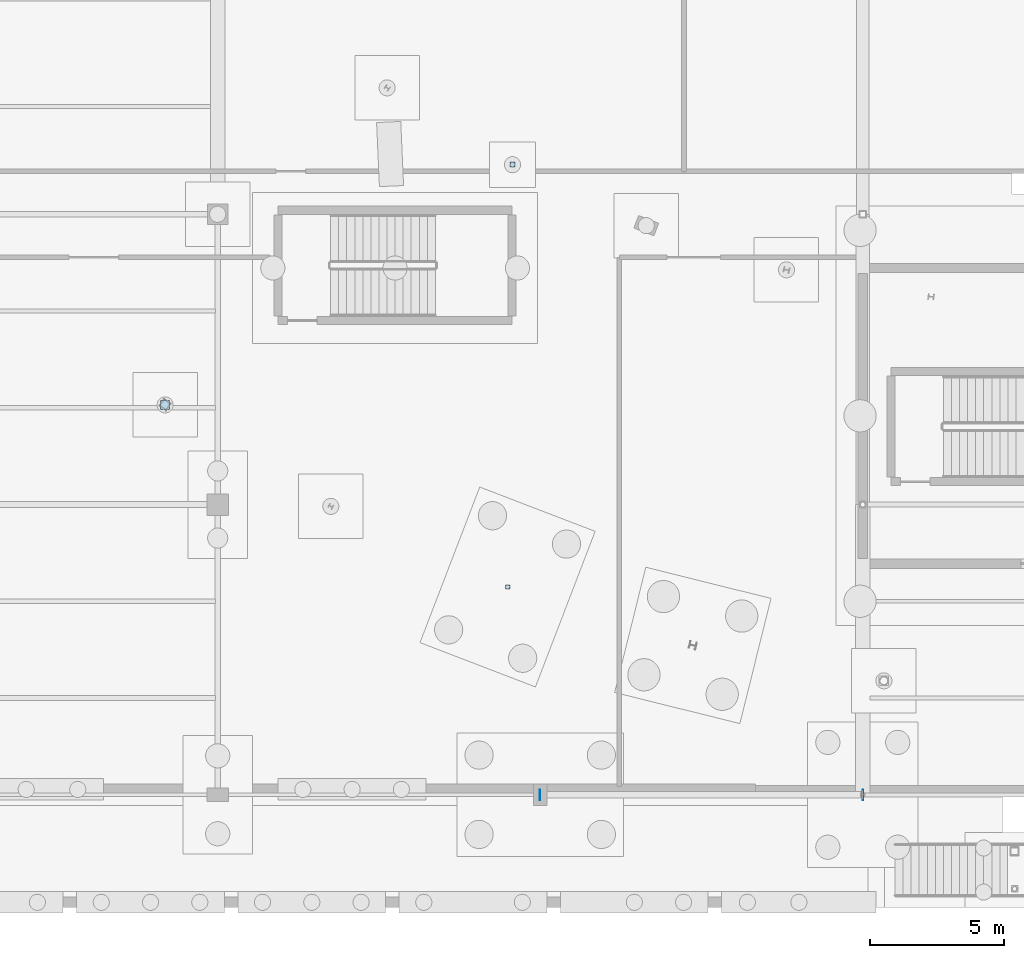
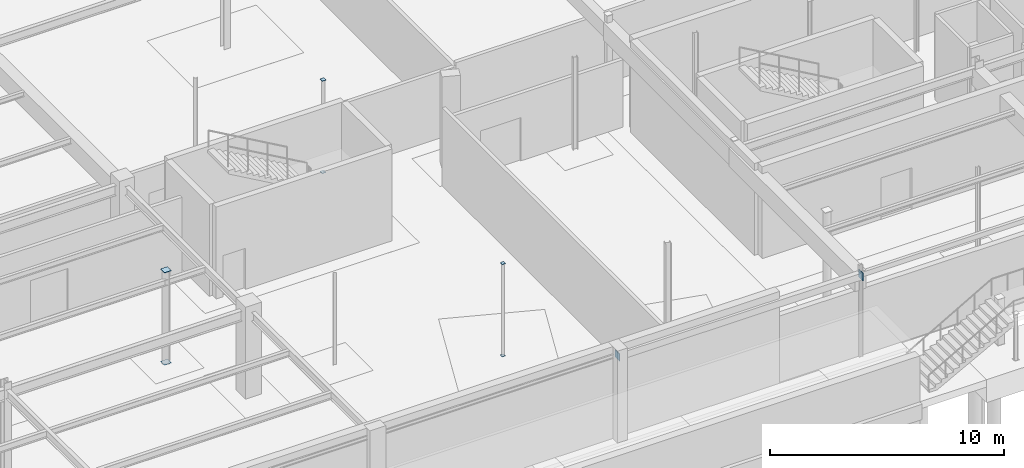
# One storey, part 93 of 136: 8 plates.
"""IFC4 building model written with IfcOpenShell, lengths in metres."""

from ifc_helpers import new_model, si_unit, direction, frame, origin, origin_2d, place, context, subcontext, project, spatial, rectangle, extrude, material, layer, layer_set, type_object, element, save


model = new_model("IFC4")

# Units and contexts
model_context = context("Model", 3, precision=1e-05, world=origin(), true_north=direction((0.0, 1.0)))
body_context = subcontext(model_context, "Body", "Model", "MODEL_VIEW")
ifc_project = project(units=[si_unit("LENGTHUNIT", "METRE"), si_unit("AREAUNIT", "SQUARE_METRE"), si_unit("VOLUMEUNIT", "CUBIC_METRE"), si_unit("PLANEANGLEUNIT", "RADIAN"), si_unit("MASSUNIT", "GRAM", prefix="KILO")], contexts=[model_context])

# Site, building, storey
site_placement = place(None, origin())
site = spatial("IfcSite", under=ifc_project, at=site_placement, CompositionType="ELEMENT")
building_placement = place(site_placement, origin())
building = spatial("IfcBuilding", under=site, at=building_placement, Name="Tarnwether General Hospital", CompositionType="ELEMENT")
storey_placement = place(building_placement, frame((0.0, 0.0, -4.800048828125)))
storey = spatial("IfcBuildingStorey", under=building, at=storey_placement, Name="LG", CompositionType="ELEMENT", Elevation=-4.800048828125)

# Plates
ifc_material = material(Name="Steel Grade 350 (350 MPa)", Category="steel")
ifc_layer = layer(ifc_material, 0.02490234375)
ifc_layer_set = layer_set([ifc_layer], Name="Steel Grade 350 (350 MPa)")
plate_type = type_object("IfcPlateType", Name="PT-GUS2", PredefinedType="USERDEFINED", material=ifc_layer_set)
for number, where, z_axis, x_axis, name in (
    (1, (58.0439453125, 14.506103515625, -0.02490234375), (0.0, 0.0, 1.0), (1.0, 0.0, 0.0), "Hollow Section Welded End Cap Plate 0613"),
    (2, (58.0439453125, 14.506103515625, 4.800048828125), (0.0, 0.0, 1.0), (1.0, 0.0, 0.0), "Hollow Section Welded End Cap Plate 0614"),
):
    element("IfcPlate", number, at=place(storey_placement, frame(where, z_axis=z_axis, x_axis=x_axis)), inside=storey, type_object=plate_type, Name=name, ObjectType="GUSSET", PredefinedType="USERDEFINED", context=body_context, shape_type="SweptSolid", body=[
        extrude(rectangle(XDim=0.340087890625, YDim=0.340087890625, at=origin_2d()), origin(), (0.0, 0.0, 1.0), 0.02490234375),
    ])
for number, where, z_axis, x_axis, name in (
    (3, (70.968017578125, 23.444091796875, -0.02490234375), (0.0, 0.0, 1.0), (1.0, 0.0, 0.0), "Hollow Section Welded End Cap Plate 0631"),
    (4, (70.968017578125, 23.444091796875, 4.800048828125), (0.0, 0.0, 1.0), (1.0, 0.0, 0.0), "Hollow Section Welded End Cap Plate 0632"),
):
    element("IfcPlate", number, at=place(storey_placement, frame(where, z_axis=z_axis, x_axis=x_axis)), inside=storey, type_object=plate_type, Name=name, ObjectType="GUSSET", PredefinedType="USERDEFINED", context=body_context, shape_type="SweptSolid", body=[
        extrude(rectangle(XDim=0.18994140625, YDim=0.18994140625, at=origin_2d()), origin(), (0.0, 0.0, 1.0), 0.02490234375),
    ])
for number, where, z_axis, x_axis, name in (
    (5, (70.784912109375, 7.73193359375, -0.02490234375), (0.0, 0.0, 1.0), (1.0, 0.0, 0.0), "Hollow Section Welded End Cap Plate 0637"),
    (6, (70.784912109375, 7.73193359375, 4.800048828125), (0.0, 0.0, 1.0), (1.0, 0.0, 0.0), "Hollow Section Welded End Cap Plate 0638"),
):
    element("IfcPlate", number, at=place(storey_placement, frame(where, z_axis=z_axis, x_axis=x_axis)), inside=storey, type_object=plate_type, Name=name, ObjectType="GUSSET", PredefinedType="USERDEFINED", context=body_context, shape_type="SweptSolid", body=[
        extrude(rectangle(XDim=0.1650390625, YDim=0.1650390625, at=origin_2d()), origin(), (0.0, 0.0, 1.0), 0.02490234375),
    ])
for number, where, z_axis, x_axis, name in (
    (7, (71.987548828125, 0.0, 4.06005859375), (0.0, 0.0, 1.0), (1.0, 0.0, 0.0), "Hollow Section Welded End Cap Plate 0825"),
    (8, (84.012451171875, 0.0, 4.06005859375), (0.0, 0.0, 1.0), (1.0, 0.0, 0.0), "Hollow Section Welded End Cap Plate 0826"),
):
    element("IfcPlate", number, at=place(storey_placement, frame(where, z_axis=z_axis, x_axis=x_axis)), inside=storey, type_object=plate_type, Name=name, ObjectType="GUSSET", PredefinedType="USERDEFINED", context=body_context, shape_type="SweptSolid", body=[
        extrude(rectangle(XDim=0.02490234375, YDim=0.389892578125, at=origin_2d()), origin(), (0.0, 0.0, 1.0), 0.389892578125),
    ])

save(model, "model.ifc")
